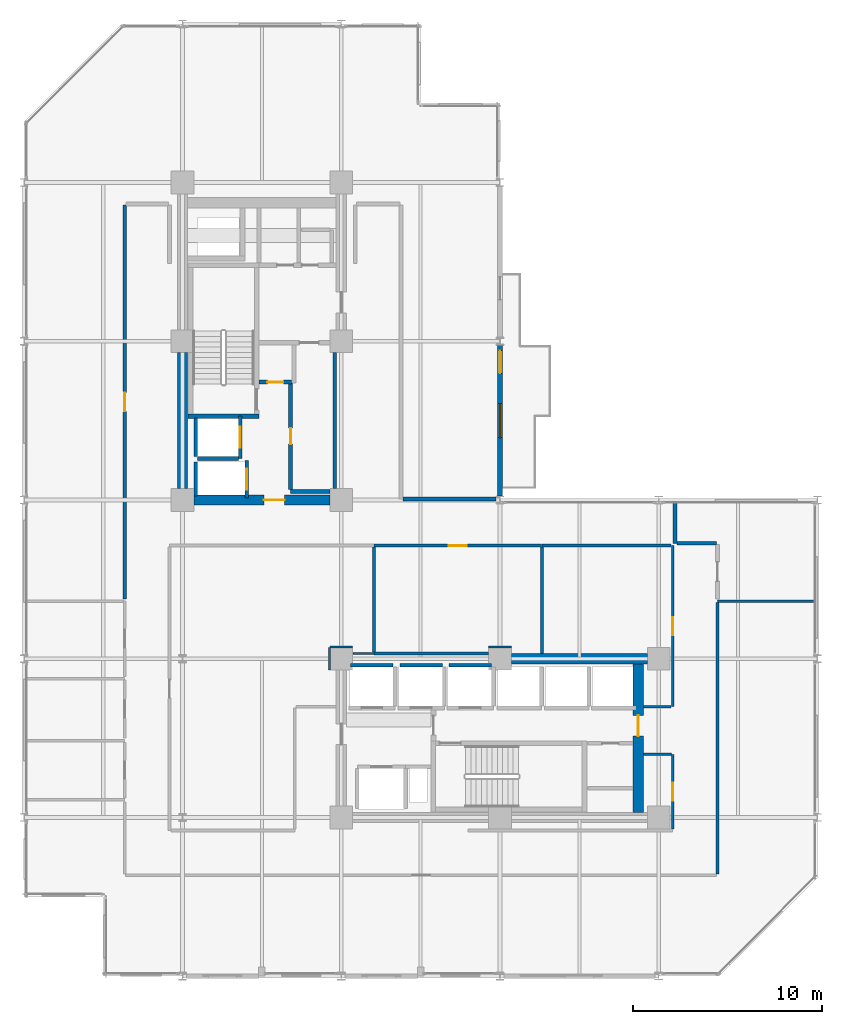
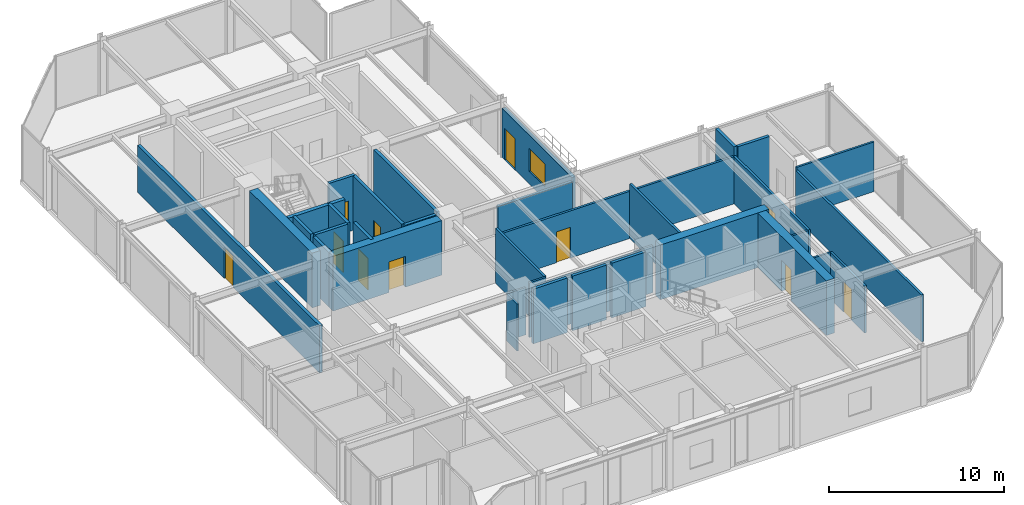
# One storey, part 25 of 29: 37 walls, 11 doors, 1 window, 12 openings.
"""IFC4 building model written with IfcOpenShell, lengths in metres."""

import ifcopenshell
import ifcopenshell.guid

model = None  # the IFC model being written
_history = None  # IfcOwnerHistory: only IFC2X3 demands one
_inside = {}  # id of a spatial element -> (the spatial element, [elements in it])
_under = {}  # id of a project, library or spatial element -> (it, [spatial elements below it])
_declared = {}  # id of a project -> (the project, [libraries it declares])
_typed = {}  # id of a type object -> (the type object, [elements of that type])
_made_of = {}  # id of a material, layer set ... -> (it, [elements and type objects made of it])


def new_model(schema):
    """Start an empty IFC model of exactly this schema.

    Asked for "IFC4X3", IfcOpenShell would pick the latest addendum, in which some entities
    have other attributes; the version numbers below select the first issue.
    IFC2X3 requires an IfcOwnerHistory on every rooted entity: one is made here for all.
    """
    global model, _history
    if schema == "IFC4X3":
        model = ifcopenshell.file(schema_version=(4, 3, 0, 0))
    else:
        model = ifcopenshell.file(schema=schema)
    _inside.clear()
    _under.clear()
    _declared.clear()
    _typed.clear()
    _made_of.clear()
    _history = None
    if model.schema == "IFC2X3":
        org = make("IfcOrganization", Name="unknown")
        user = make(
            "IfcPersonAndOrganization",
            ThePerson=make("IfcPerson", FamilyName="unknown"),
            TheOrganization=org,
        )
        app = make(
            "IfcApplication",
            ApplicationDeveloper=org,
            Version="unknown",
            ApplicationFullName="unknown",
            ApplicationIdentifier="unknown",
        )
        _history = make(
            "IfcOwnerHistory",
            OwningUser=user,
            OwningApplication=app,
            ChangeAction="ADDED",
            CreationDate=0,
        )
    return model


def make(cls, **values):
    """One entity of the class cls with the attributes given. An attribute that is None is left unset."""
    return model.create_entity(
        cls, **{name: value for name, value in values.items() if value is not None}
    )


def rooted(cls, **values):
    """An entity with a GlobalId (a new one), such as an element, a storey or a relation."""
    return make(cls, GlobalId=ifcopenshell.guid.new(), OwnerHistory=_history, **values)


def si_unit(unit_type, name, prefix=None):
    """IfcSIUnit, for example si_unit("LENGTHUNIT", "METRE", prefix="MILLI")."""
    return make("IfcSIUnit", UnitType=unit_type, Prefix=prefix, Name=name)


def assignment(units):
    """IfcUnitAssignment: the units of a project."""
    return None if units is None else make("IfcUnitAssignment", Units=units)


def point(xyz):
    """IfcCartesianPoint."""
    return None if xyz is None else make("IfcCartesianPoint", Coordinates=xyz)


def direction(xyz):
    """IfcDirection."""
    return None if xyz is None else make("IfcDirection", DirectionRatios=xyz)


def frame(location, z_axis=None, x_axis=None):
    """IfcAxis2Placement3D, a coordinate frame: its origin and axes. An axis left out is left unset."""
    return make(
        "IfcAxis2Placement3D",
        Location=point(location),
        Axis=direction(z_axis),
        RefDirection=direction(x_axis),
    )


def frame_2d(location, x_axis=None):
    """IfcAxis2Placement2D, a coordinate frame in the plane: its origin and x axis."""
    return make(
        "IfcAxis2Placement2D", Location=point(location), RefDirection=direction(x_axis)
    )


def origin():
    """The frame at (0, 0, 0) with its axes left unset."""
    return frame((0.0, 0.0, 0.0))


def place(relative_to, where):
    """IfcLocalPlacement: puts the frame where relative to a parent placement (None: the world)."""
    return make(
        "IfcLocalPlacement", PlacementRelTo=relative_to, RelativePlacement=where
    )


def context(
    kind, dimensions, precision=None, world=None, true_north=None, identifier=None
):
    """IfcGeometricRepresentationContext, for example the 3D "Model" context."""
    return make(
        "IfcGeometricRepresentationContext",
        ContextIdentifier=identifier,
        ContextType=kind,
        CoordinateSpaceDimension=dimensions,
        Precision=precision,
        WorldCoordinateSystem=world,
        TrueNorth=true_north,
    )


def subcontext(parent, identifier, kind, view, scale=None):
    """IfcGeometricRepresentationSubContext, for example "Body" below "Model"."""
    return make(
        "IfcGeometricRepresentationSubContext",
        ContextIdentifier=identifier,
        ContextType=kind,
        ParentContext=parent,
        TargetScale=scale,
        TargetView=view,
    )


def project(units=None, contexts=None):
    """IfcProject with its units and contexts."""
    return rooted(
        "IfcProject",
        Name="project",
        RepresentationContexts=contexts,
        UnitsInContext=assignment(units),
    )


def spatial(cls, under=None, at=None, **own):
    """A site, building, storey or space (cls), placed at a placement, below another one or the project."""
    s = rooted(cls, ObjectPlacement=at, **own)
    if under is not None:
        _under.setdefault(under.id(), (under, []))[1].append(s)
    return s


def profile(cls, at=None, kind="AREA", **sizes):
    """A parametric profile (cls). Its sizes go by their IFC names, for example OverallWidth=200.0."""
    return make(cls, ProfileType=kind, Position=at, **sizes)


def rectangle(**sizes):
    """IfcRectangleProfileDef."""
    return profile("IfcRectangleProfileDef", **sizes)


def extrude(swept, where, along, depth):
    """IfcExtrudedAreaSolid: the profile swept, set in the frame where, extruded along a direction by depth."""
    return make(
        "IfcExtrudedAreaSolid",
        SweptArea=swept,
        Position=where,
        ExtrudedDirection=direction(along),
        Depth=depth,
    )


def shape(context_of_items, identifier, shape_type, items):
    """IfcShapeRepresentation: the items that make up one representation, for example the "Body"."""
    return make(
        "IfcShapeRepresentation",
        ContextOfItems=context_of_items,
        RepresentationIdentifier=identifier,
        RepresentationType=shape_type,
        Items=items,
    )


def material(Name=None, Category=None):
    """IfcMaterial."""
    return make("IfcMaterial", Name=Name, Category=Category)


def layer(
    of_material, thickness, ventilated=None, Name=None, Category=None, Priority=None
):
    """IfcMaterialLayer: one layer of a wall or slab, of a material (None: an air gap)."""
    return make(
        "IfcMaterialLayer",
        Material=of_material,
        LayerThickness=thickness,
        IsVentilated=ventilated,
        Name=Name,
        Category=Category,
        Priority=Priority,
    )


def layer_set(layers, Name=None):
    """IfcMaterialLayerSet."""
    return make("IfcMaterialLayerSet", MaterialLayers=layers, LayerSetName=Name)


def made_of(thing, what):
    """Note that an element or type object is made of a material, layer set ...; save() writes the relation."""
    if what is not None:
        _made_of.setdefault(what.id(), (what, []))[1].append(thing)
    return thing


def type_object(cls, material=None, **own):
    """A type object (cls), such as IfcWallType, which elements share."""
    return made_of(rooted(cls, **own), material)


def element(
    cls,
    number,
    at=None,
    inside=None,
    cuts=None,
    type_object=None,
    material=None,
    context=None,
    identifier="Body",
    shape_type=None,
    held_by="IfcProductDefinitionShape",
    body=None,
    shapes=None,
    **own,
):
    """One element of the class cls, such as IfcWall. Its Tag is "e" and its number.

    at: its placement. inside: the storey or other place that contains it. cuts: it is an
    opening in that element (IfcRelVoidsElement). A single representation is given by context,
    identifier, shape_type and body (its items); several are given by shapes. held_by: the class
    of the entity that holds the representations. save() writes the other relations.
    """
    e = rooted(cls, Tag="e%d" % number, ObjectPlacement=at, **own)
    if body is not None:
        shapes = [shape(context, identifier, shape_type, body)]
    if shapes is not None:
        e.Representation = make(held_by, Representations=shapes)
    if inside is not None:
        _inside.setdefault(inside.id(), (inside, []))[1].append(e)
    if cuts is not None:
        rooted(
            "IfcRelVoidsElement", RelatingBuildingElement=cuts, RelatedOpeningElement=e
        )
    if type_object is not None:
        _typed.setdefault(type_object.id(), (type_object, []))[1].append(e)
    return made_of(e, material)


def fill(opening, filler):
    """IfcRelFillsElement: the door or window that sits in an opening."""
    return rooted(
        "IfcRelFillsElement",
        RelatingOpeningElement=opening,
        RelatedBuildingElement=filler,
    )


def aggregate(whole, parts):
    """IfcRelAggregates: a whole, such as a stair, and the parts it consists of."""
    return rooted("IfcRelAggregates", RelatingObject=whole, RelatedObjects=parts)


def save(model, path):
    """Write the relations noted so far, then the file.

    IfcRelAggregates (storeys below a building ...), IfcRelContainedInSpatialStructure (elements
    in a storey), IfcRelDefinesByType, IfcRelAssociatesMaterial and IfcRelDeclares: one each for
    every whole, place, type object, material and project.
    """
    for whole, parts in _under.values():
        aggregate(whole, parts)
    for where, things in _inside.values():
        rooted(
            "IfcRelContainedInSpatialStructure",
            RelatedElements=things,
            RelatingStructure=where,
        )
    for kind, things in _typed.values():
        rooted("IfcRelDefinesByType", RelatedObjects=things, RelatingType=kind)
    for what, things in _made_of.values():
        rooted("IfcRelAssociatesMaterial", RelatedObjects=things, RelatingMaterial=what)
    for by, libraries in _declared.values():
        rooted("IfcRelDeclares", RelatingContext=by, RelatedDefinitions=libraries)
    model.write(path)


model = new_model("IFC4")

# Units and contexts
model_context = context("Model", 3, precision=1e-05, world=origin(), true_north=direction((0.0, 1.0)))
body_context = subcontext(model_context, "Body", "Model", "MODEL_VIEW")
ifc_project = project(units=[si_unit("LENGTHUNIT", "METRE"), si_unit("AREAUNIT", "SQUARE_METRE"), si_unit("VOLUMEUNIT", "CUBIC_METRE"), si_unit("PLANEANGLEUNIT", "RADIAN"), si_unit("MASSUNIT", "GRAM", prefix="KILO")], contexts=[model_context])

# Site, building, storey
site_placement = place(None, origin())
site = spatial("IfcSite", under=ifc_project, at=site_placement, CompositionType="ELEMENT")
building_placement = place(site_placement, origin())
building = spatial("IfcBuilding", under=site, at=building_placement, Name="Nerrivon Quay Data Exchange", CompositionType="ELEMENT")
storey_placement = place(building_placement, frame((0.0, 0.0, 150.0)))
storey = spatial("IfcBuildingStorey", under=building, at=storey_placement, Name="L35", CompositionType="ELEMENT", Elevation=150.0)

# Wall, openings, door, window
ifc_material_1 = material(Name="Architectural terracotta precast concrete N50 (50 MPa)", Category="masonry")
ifc_layer_1 = layer(ifc_material_1, 0.239990234375)
ifc_layer_set_1 = layer_set([ifc_layer_1], Name="Architectural terracotta precast concrete N50 (50 MPa)")
wall_type_1 = type_object("IfcWallType", Name="EW-PREC-240", PredefinedType="STANDARD", material=ifc_layer_set_1)
wall_1_placement = place(storey_placement, frame((25.199951171875, 33.39990234375, 0.0), z_axis=(0.0, 0.0, 1.0), x_axis=(0.0, -1.0, 0.0)))
wall_1 = element("IfcWall", 1, at=wall_1_placement, inside=storey, type_object=wall_type_1, Name="L35 Terrace Host Wall 25", PredefinedType="STANDARD", context=body_context, shape_type="SweptSolid", body=[
    extrude(rectangle(XDim=8.0, YDim=0.239990234375, at=frame_2d((4.0, 0.0))), origin(), (0.0, 0.0, 1.0), 3.422119140625),
])
opening_1_placement = place(wall_1_placement, frame((0.300048828125, 0.0, 0.0)))
opening_1 = element("IfcOpeningElement", 2, at=opening_1_placement, cuts=wall_1, Name="Opening TD1", PredefinedType="OPENING", context=body_context, shape_type="SweptSolid", body=[
    extrude(rectangle(XDim=1.199951171875, YDim=2.199951171875, at=frame_2d((0.60009765625, 1.10009765625))), frame((0.0, 0.1298828125, 0.0), z_axis=(0.0, -1.0, 0.0), x_axis=(1.0, 0.0, 0.0)), (0.0, 0.0, 1.0), 0.260009765625),
])
opening_2_placement = place(wall_1_placement, frame((3.10009765625, 0.0, 0.89990234375)))
opening_2 = element("IfcOpeningElement", 3, at=opening_2_placement, cuts=wall_1, Name="Opening WN2", PredefinedType="OPENING", context=body_context, shape_type="SweptSolid", body=[
    extrude(rectangle(XDim=1.800048828125, YDim=1.60009765625, at=frame_2d((0.89990234375, 0.800048828125))), frame((0.0, 0.1298828125, 0.0), z_axis=(0.0, -1.0, 0.0), x_axis=(1.0, 0.0, 0.0)), (0.0, 0.0, 1.0), 0.260009765625),
])
ifc_material_2 = material(Name="Double-glazed low-E solar control glass", Category="glass")
door_type_1 = type_object("IfcDoorType", Name="DR-TERR-1200x2200", OperationType="NOTDEFINED", PredefinedType="DOOR", material=ifc_material_2)
door_1_placement = place(opening_1_placement, origin())
door_1 = element("IfcDoor", 4, at=door_1_placement, inside=storey, type_object=door_type_1, Name="L35 Outdoor Terrace Access Door 25", OperationType="SINGLE_SWING_RIGHT", OverallHeight=2.199951171875, OverallWidth=1.199951171875, PredefinedType="DOOR", context=body_context, shape_type="SweptSolid", body=[
    extrude(rectangle(XDim=1.199951171875, YDim=2.199951171875, at=frame_2d((0.60009765625, 1.10009765625))), frame((0.0, 0.02490234375, 0.0), z_axis=(0.0, -1.0, 0.0), x_axis=(1.0, 0.0, 0.0)), (0.0, 0.0, 1.0), 0.050048828125),
])
fill(opening_1, door_1)
window_type = type_object("IfcWindowType", Name="WIN-W2-1800x1600", PartitioningType="SINGLE_PANEL", PredefinedType="WINDOW", material=ifc_material_2)
window_placement = place(opening_2_placement, origin())
window = element("IfcWindow", 5, at=window_placement, inside=storey, type_object=window_type, Name="L35 Terrace Side Window 25", OverallHeight=1.60009765625, OverallWidth=1.800048828125, PartitioningType="SINGLE_PANEL", PredefinedType="WINDOW", context=body_context, shape_type="SweptSolid", body=[
    extrude(rectangle(XDim=1.800048828125, YDim=1.60009765625, at=frame_2d((0.89990234375, 0.800048828125))), frame((0.0, 0.030029296875, 0.0), z_axis=(0.0, -1.0, 0.0), x_axis=(1.0, 0.0, 0.0)), (0.0, 0.0, 1.0), 0.06005859375),
])
fill(opening_2, window)

# Wall
ifc_material_3 = material(Name="Concrete S65 (65 MPa)", Category="concrete")
ifc_layer_2 = layer(ifc_material_3, 0.550048828125)
ifc_layer_set_2 = layer_set([ifc_layer_2], Name="Concrete S65 (65 MPa)")
wall_type_2 = type_object("IfcWallType", Name="WALL-CW-700", PredefinedType="SHEAR", material=ifc_layer_set_2)
wall_2_placement = place(storey_placement, frame((8.39990234375, 25.800048828125, 0.0), z_axis=(0.0, 0.0, 1.0), x_axis=(0.0, 1.0, 0.0)))
element("IfcWall", 6, at=wall_2_placement, inside=storey, type_object=wall_type_2, Name="L35 West Split-Core Shear Wall WCW-W1", PredefinedType="SHEAR", context=body_context, shape_type="SweptSolid", body=[
    extrude(rectangle(XDim=7.199951171875, YDim=0.550048828125, at=frame_2d((3.60009765625, 0.0))), origin(), (0.0, 0.0, 1.0), 3.824951171875),
])

# Wall, opening, door
wall_3_placement = place(storey_placement, frame((9.0, 25.199951171875, 0.0), z_axis=(0.0, 0.0, 1.0), x_axis=(1.0, 0.0, 0.0)))
wall_3 = element("IfcWall", 7, at=wall_3_placement, inside=storey, type_object=wall_type_2, Name="L35 West Split-Core Shear Wall WCW-S1", PredefinedType="SHEAR", context=body_context, shape_type="SweptSolid", body=[
    extrude(rectangle(XDim=7.199951171875, YDim=0.550048828125, at=frame_2d((3.60009765625, 0.0))), origin(), (0.0, 0.0, 1.0), 3.824951171875),
])
opening_3_placement = place(wall_3_placement, frame((3.699951171875, 0.0, 0.0)))
opening_3 = element("IfcOpeningElement", 8, at=opening_3_placement, cuts=wall_3, Name="Opening FD-120", PredefinedType="OPENING", context=body_context, shape_type="SweptSolid", body=[
    extrude(rectangle(XDim=1.10009765625, YDim=2.14990234375, at=frame_2d((0.550048828125, 1.074951171875))), frame((0.0, 0.284912109375, 0.0), z_axis=(0.0, -1.0, 0.0), x_axis=(1.0, 0.0, 0.0)), (0.0, 0.0, 1.0), 0.570068359375),
])
ifc_material_4 = material(Name="Powder-coated galvanized steel sheet", Category="steel")
door_type_2 = type_object("IfcDoorType", Name="DR-FD120-1100", OperationType="NOTDEFINED", PredefinedType="DOOR", material=ifc_material_4)
door_2_placement = place(opening_3_placement, origin())
door_2 = element("IfcDoor", 9, at=door_2_placement, inside=storey, type_object=door_type_2, Name="L35 West Core Lobby Fire Door", OperationType="SINGLE_SWING_RIGHT", OverallHeight=2.14990234375, OverallWidth=1.10009765625, PredefinedType="DOOR", context=body_context, shape_type="SweptSolid", body=[
    extrude(rectangle(XDim=1.10009765625, YDim=2.14990234375, at=frame_2d((0.550048828125, 1.074951171875))), frame((0.0, 0.02490234375, 0.0), z_axis=(0.0, -1.0, 0.0), x_axis=(1.0, 0.0, 0.0)), (0.0, 0.0, 1.0), 0.050048828125),
])
fill(opening_3, door_2)

wall_4_placement = place(storey_placement, frame((32.52490234375, 8.675048828125, 0.0), z_axis=(0.0, 0.0, 1.0), x_axis=(0.0, 1.0, 0.0)))
wall_4 = element("IfcWall", 10, at=wall_4_placement, inside=storey, type_object=wall_type_2, Name="L35 East Split-Core Shear Wall ECW-E1", PredefinedType="SHEAR", context=body_context, shape_type="SweptSolid", body=[
    extrude(rectangle(XDim=7.849853515625, YDim=0.550048828125, at=frame_2d((3.9248046875, 0.0))), origin(), (0.0, 0.0, 1.0), 3.824951171875),
])
opening_4_placement = place(wall_4_placement, frame((4.02490234375, 0.0, 0.0)))
opening_4 = element("IfcOpeningElement", 11, at=opening_4_placement, cuts=wall_4, Name="Opening FD-120", PredefinedType="OPENING", context=body_context, shape_type="SweptSolid", body=[
    extrude(rectangle(XDim=1.10009765625, YDim=2.14990234375, at=frame_2d((0.550048828125, 1.074951171875))), frame((0.0, 0.284912109375, 0.0), z_axis=(0.0, -1.0, 0.0), x_axis=(1.0, 0.0, 0.0)), (0.0, 0.0, 1.0), 0.570068359375),
])
door_3_placement = place(opening_4_placement, origin())
door_3 = element("IfcDoor", 12, at=door_3_placement, inside=storey, type_object=door_type_2, Name="L35 East Core Lobby Fire Door", OperationType="SINGLE_SWING_LEFT", OverallHeight=2.14990234375, OverallWidth=1.10009765625, PredefinedType="DOOR", context=body_context, shape_type="SweptSolid", body=[
    extrude(rectangle(XDim=1.10009765625, YDim=2.14990234375, at=frame_2d((0.550048828125, 1.074951171875))), frame((0.0, 0.02490234375, 0.0), z_axis=(0.0, -1.0, 0.0), x_axis=(1.0, 0.0, 0.0)), (0.0, 0.0, 1.0), 0.050048828125),
])
fill(opening_4, door_3)

# Wall
wall_5_placement = place(storey_placement, frame((25.800048828125, 16.800048828125, 0.0), z_axis=(0.0, 0.0, 1.0), x_axis=(1.0, 0.0, 0.0)))
element("IfcWall", 13, at=wall_5_placement, inside=storey, type_object=wall_type_2, Name="L35 East Split-Core Shear Wall ECW-N1", PredefinedType="SHEAR", context=body_context, shape_type="SweptSolid", body=[
    extrude(rectangle(XDim=7.199951171875, YDim=0.550048828125, at=frame_2d((3.60009765625, 0.0))), origin(), (0.0, 0.0, 1.0), 3.824951171875),
])

# Wall, opening, door
ifc_material_5 = material(Name="Gypsum plasterboard on cold-formed framing", Category="gypsum")
ifc_layer_3 = layer(ifc_material_5, 0.199951171875)
ifc_layer_set_3 = layer_set([ifc_layer_3], Name="Gypsum plasterboard on cold-formed framing")
wall_type_3 = type_object("IfcWallType", Name="WALL-FW-200", PredefinedType="PARTITIONING", material=ifc_layer_set_3)
wall_6_placement = place(storey_placement, frame((11.449951171875, 27.39990234375, 0.0), z_axis=(0.0, 0.0, 1.0), x_axis=(0.0, 1.0, 0.0)))
wall_6 = element("IfcWall", 14, at=wall_6_placement, inside=storey, type_object=wall_type_3, Name="L35 Lift Front Wall FFL-1", PredefinedType="PARTITIONING", context=body_context, shape_type="SweptSolid", body=[
    extrude(rectangle(XDim=2.25, YDim=0.199951171875, at=frame_2d((1.125, 0.0))), origin(), (0.0, 0.0, 1.0), 3.824951171875),
])
opening_5_placement = place(wall_6_placement, frame((0.574951171875, 0.0, 0.0)))
opening_5 = element("IfcOpeningElement", 15, at=opening_5_placement, cuts=wall_6, Name="Opening LD-120", PredefinedType="OPENING", context=body_context, shape_type="SweptSolid", body=[
    extrude(rectangle(XDim=1.10009765625, YDim=2.199951171875, at=frame_2d((0.550048828125, 1.10009765625))), frame((0.0, 0.10986328125, 0.0), z_axis=(0.0, -1.0, 0.0), x_axis=(1.0, 0.0, 0.0)), (0.0, 0.0, 1.0), 0.219970703125),
])
door_type_3 = type_object("IfcDoorType", Name="DR-LIFT-LD120", OperationType="DOUBLE_DOOR_SLIDING", PredefinedType="DOOR", material=ifc_material_4)
door_4_placement = place(opening_5_placement, origin())
door_4 = element("IfcDoor", 16, at=door_4_placement, inside=storey, type_object=door_type_3, Name="L35 Lift Landing Sliding Door FFL-1", OperationType="DOUBLE_DOOR_SLIDING", OverallHeight=2.199951171875, OverallWidth=1.10009765625, PredefinedType="DOOR", context=body_context, shape_type="SweptSolid", body=[
    extrude(rectangle(XDim=1.10009765625, YDim=2.199951171875, at=frame_2d((0.550048828125, 1.10009765625))), frame((0.0, 0.02490234375, 0.0), z_axis=(0.0, -1.0, 0.0), x_axis=(1.0, 0.0, 0.0)), (0.0, 0.0, 1.0), 0.050048828125),
])
fill(opening_5, door_4)

# Walls
wall_7_placement = place(storey_placement, frame((9.10009765625, 27.5, 0.0), z_axis=(0.0, 0.0, 1.0), x_axis=(0.0, 1.0, 0.0)))
element("IfcWall", 17, at=wall_7_placement, inside=storey, type_object=wall_type_3, Name="L35 Lift Shaft Wall FFL-1 WEST", PredefinedType="PARTITIONING", context=body_context, shape_type="SweptSolid", body=[
    extrude(rectangle(XDim=2.050048828125, YDim=0.199951171875, at=frame_2d((1.02490234375, 0.0))), origin(), (0.0, 0.0, 1.0), 3.824951171875),
])
wall_8_placement = place(storey_placement, frame((9.199951171875, 27.39990234375, 0.0), z_axis=(0.0, 0.0, 1.0), x_axis=(1.0, 0.0, 0.0)))
element("IfcWall", 18, at=wall_8_placement, inside=storey, type_object=wall_type_3, Name="L35 Lift Shaft Wall FFL-1 SOUTH", PredefinedType="PARTITIONING", context=body_context, shape_type="SweptSolid", body=[
    extrude(rectangle(XDim=2.150146484375, YDim=0.199951171875, at=frame_2d((1.0751953125, 0.0))), origin(), (0.0, 0.0, 1.0), 3.824951171875),
])

# Wall, opening, door
wall_9_placement = place(storey_placement, frame((11.800048828125, 25.300048828125, 0.0), z_axis=(0.0, 0.0, 1.0), x_axis=(0.0, 1.0, 0.0)))
wall_9 = element("IfcWall", 19, at=wall_9_placement, inside=storey, type_object=wall_type_3, Name="L35 Lift Front Wall SVL-1", PredefinedType="PARTITIONING", context=body_context, shape_type="SweptSolid", body=[
    extrude(rectangle(XDim=2.0, YDim=0.199951171875, at=frame_2d((1.0, 0.0))), origin(), (0.0, 0.0, 1.0), 3.824951171875),
])
opening_6_placement = place(wall_9_placement, frame((0.449951171875, 0.0, 0.0)))
opening_6 = element("IfcOpeningElement", 20, at=opening_6_placement, cuts=wall_9, Name="Opening LD-120", PredefinedType="OPENING", context=body_context, shape_type="SweptSolid", body=[
    extrude(rectangle(XDim=1.10009765625, YDim=2.199951171875, at=frame_2d((0.550048828125, 1.10009765625))), frame((0.0, 0.10986328125, 0.0), z_axis=(0.0, -1.0, 0.0), x_axis=(1.0, 0.0, 0.0)), (0.0, 0.0, 1.0), 0.219970703125),
])
door_5_placement = place(opening_6_placement, origin())
door_5 = element("IfcDoor", 21, at=door_5_placement, inside=storey, type_object=door_type_3, Name="L35 Lift Landing Sliding Door SVL-1", OperationType="DOUBLE_DOOR_SLIDING", OverallHeight=2.199951171875, OverallWidth=1.10009765625, PredefinedType="DOOR", context=body_context, shape_type="SweptSolid", body=[
    extrude(rectangle(XDim=1.10009765625, YDim=2.199951171875, at=frame_2d((0.550048828125, 1.10009765625))), frame((0.0, 0.02490234375, 0.0), z_axis=(0.0, -1.0, 0.0), x_axis=(1.0, 0.0, 0.0)), (0.0, 0.0, 1.0), 0.050048828125),
])
fill(opening_6, door_5)

# Walls
wall_10_placement = place(storey_placement, frame((9.10009765625, 25.39990234375, 0.0), z_axis=(0.0, 0.0, 1.0), x_axis=(0.0, 1.0, 0.0)))
element("IfcWall", 22, at=wall_10_placement, inside=storey, type_object=wall_type_3, Name="L35 Lift Shaft Wall SVL-1 WEST", PredefinedType="PARTITIONING", context=body_context, shape_type="SweptSolid", body=[
    extrude(rectangle(XDim=1.800048828125, YDim=0.199951171875, at=frame_2d((0.89990234375, 0.0))), origin(), (0.0, 0.0, 1.0), 3.824951171875),
])
for number, where, z_axis, x_axis, name in (
    (23, (17.300048828125, 16.449951171875, 0.0), (0.0, 0.0, 1.0), (1.0, 0.0, 0.0), "L35 Lift Shaft Wall PL4 NORTH"),
    (24, (19.89990234375, 16.449951171875, 0.0), (0.0, 0.0, 1.0), (1.0, 0.0, 0.0), "L35 Lift Shaft Wall PL5 NORTH"),
    (25, (22.5, 16.449951171875, 0.0), (0.0, 0.0, 1.0), (1.0, 0.0, 0.0), "L35 Lift Shaft Wall PL6 NORTH"),
):
    element("IfcWall", number, at=place(storey_placement, frame(where, z_axis=z_axis, x_axis=x_axis)), inside=storey, type_object=wall_type_3, Name=name, PredefinedType="PARTITIONING", context=body_context, shape_type="SweptSolid", body=[
        extrude(rectangle(XDim=2.25, YDim=0.199951171875, at=frame_2d((1.125, 0.0))), origin(), (0.0, 0.0, 1.0), 3.824951171875),
    ])
wall_11_placement = place(storey_placement, frame((14.1201171875, 25.64990234375, 0.0), z_axis=(0.0, 0.0, 1.0), x_axis=(1.0, 0.0, 0.0)))
element("IfcWall", 26, at=wall_11_placement, inside=storey, type_object=wall_type_3, Name="L35 Partition Core Equipment Store", PredefinedType="PARTITIONING", context=body_context, shape_type="SweptSolid", body=[
    extrude(rectangle(XDim=2.074951171875, YDim=0.199951171875, at=frame_2d((1.03759765625, 0.0))), origin(), (0.0, 0.0, 1.0), 3.824951171875),
])
wall_12_placement = place(storey_placement, frame((16.449951171875, 25.804931640625, 0.0), z_axis=(0.0, 0.0, 1.0), x_axis=(0.0, 1.0, 0.0)))
element("IfcWall", 27, at=wall_12_placement, inside=storey, type_object=wall_type_3, Name="L35 Partition Core Equipment Store", PredefinedType="PARTITIONING", context=body_context, shape_type="SweptSolid", body=[
    extrude(rectangle(XDim=7.190185546875, YDim=0.199951171875, at=frame_2d((3.59521484375, 0.0))), origin(), (0.0, 0.0, 1.0), 3.824951171875),
])

# Wall, opening, door
wall_13_placement = place(storey_placement, frame((14.1201171875, 31.39990234375, 0.0), z_axis=(0.0, 0.0, 1.0), x_axis=(0.0, -1.0, 0.0)))
wall_13 = element("IfcWall", 28, at=wall_13_placement, inside=storey, type_object=wall_type_3, Name="L35 Partition Core Equipment Store", PredefinedType="PARTITIONING", context=body_context, shape_type="SweptSolid", body=[
    extrude(rectangle(XDim=5.64599609375, YDim=0.199951171875, at=frame_2d((2.822998046875, 0.0))), origin(), (0.0, 0.0, 1.0), 3.824951171875),
])
opening_7_placement = place(wall_13_placement, frame((2.39794921875, 0.0, 0.0)))
opening_7 = element("IfcOpeningElement", 29, at=opening_7_placement, cuts=wall_13, Name="Opening FD-60S", PredefinedType="OPENING", context=body_context, shape_type="SweptSolid", body=[
    extrude(rectangle(XDim=0.85009765625, YDim=2.14990234375, at=frame_2d((0.425048828125, 1.074951171875))), frame((0.0, 0.10986328125, 0.0), z_axis=(0.0, -1.0, 0.0), x_axis=(1.0, 0.0, 0.0)), (0.0, 0.0, 1.0), 0.219970703125),
])
ifc_material_6 = material(Name="Engineered hardwood timber", Category="wood")
door_type_4 = type_object("IfcDoorType", Name="DR-FD60-850", OperationType="NOTDEFINED", PredefinedType="DOOR", material=ifc_material_6)
door_6_placement = place(opening_7_placement, origin())
door_6 = element("IfcDoor", 30, at=door_6_placement, inside=storey, type_object=door_type_4, Name="L35 Door Core Equipment Store", OperationType="SINGLE_SWING_LEFT", OverallHeight=2.14990234375, OverallWidth=0.85009765625, PredefinedType="DOOR", context=body_context, shape_type="SweptSolid", body=[
    extrude(rectangle(XDim=0.85009765625, YDim=2.14990234375, at=frame_2d((0.425048828125, 1.074951171875))), frame((0.0, 0.02490234375, 0.0), z_axis=(0.0, -1.0, 0.0), x_axis=(1.0, 0.0, 0.0)), (0.0, 0.0, 1.0), 0.050048828125),
])
fill(opening_7, door_6)

wall_14_placement = place(storey_placement, frame((12.4541015625, 31.43994140625, 0.0), z_axis=(0.0, 0.0, 1.0), x_axis=(1.0, 0.0, 0.0)))
wall_14 = element("IfcWall", 31, at=wall_14_placement, inside=storey, type_object=wall_type_3, Name="L35 Partition Optical Patch Closet", PredefinedType="PARTITIONING", context=body_context, shape_type="SweptSolid", body=[
    extrude(rectangle(XDim=1.725830078125, YDim=0.199951171875, at=frame_2d((0.86279296875, 0.0))), origin(), (0.0, 0.0, 1.0), 3.824951171875),
])
opening_8_placement = place(wall_14_placement, frame((0.43798828125, 0.0, 0.0)))
opening_8 = element("IfcOpeningElement", 32, at=opening_8_placement, cuts=wall_14, Name="Opening FD-60S", PredefinedType="OPENING", context=body_context, shape_type="SweptSolid", body=[
    extrude(rectangle(XDim=0.85009765625, YDim=2.14990234375, at=frame_2d((0.425048828125, 1.074951171875))), frame((0.0, 0.10986328125, 0.0), z_axis=(0.0, -1.0, 0.0), x_axis=(1.0, 0.0, 0.0)), (0.0, 0.0, 1.0), 0.219970703125),
])
door_7_placement = place(opening_8_placement, origin())
door_7 = element("IfcDoor", 33, at=door_7_placement, inside=storey, type_object=door_type_4, Name="L35 Door Optical Patch Closet", OperationType="SINGLE_SWING_RIGHT", OverallHeight=2.14990234375, OverallWidth=0.85009765625, PredefinedType="DOOR", context=body_context, shape_type="SweptSolid", body=[
    extrude(rectangle(XDim=0.85009765625, YDim=2.14990234375, at=frame_2d((0.425048828125, 1.074951171875))), frame((0.0, 0.02490234375, 0.0), z_axis=(0.0, -1.0, 0.0), x_axis=(1.0, 0.0, 0.0)), (0.0, 0.0, 1.0), 0.050048828125),
])
fill(opening_8, door_7)

# Walls
wall_15_placement = place(storey_placement, frame((34.4599609375, 25.031005859375, 0.0), z_axis=(0.0, 0.0, 1.0), x_axis=(0.0, -1.0, 0.0)))
element("IfcWall", 34, at=wall_15_placement, inside=storey, type_object=wall_type_3, Name="L35 Partition Colocation Data Workspace 1", PredefinedType="PARTITIONING", context=body_context, shape_type="SweptSolid", body=[
    extrude(rectangle(XDim=2.12109375, YDim=0.199951171875, at=frame_2d((1.060546875, 0.0))), origin(), (0.0, 0.0, 1.0), 3.824951171875),
])
wall_16_placement = place(storey_placement, frame((34.56396484375, 22.909912109375, 0.0), z_axis=(0.0, 0.0, 1.0), x_axis=(1.0, 0.0, 0.0)))
element("IfcWall", 35, at=wall_16_placement, inside=storey, type_object=wall_type_3, Name="L35 Partition Colocation Data Workspace 1", PredefinedType="PARTITIONING", context=body_context, shape_type="SweptSolid", body=[
    extrude(rectangle(XDim=2.0859375, YDim=0.199951171875, at=frame_2d((1.04296875, 0.0))), origin(), (0.0, 0.0, 1.0), 3.824951171875),
])

# Wall, opening, door
wall_17_placement = place(storey_placement, frame((5.340087890625, 19.963134765625, 0.0), z_axis=(0.0, 0.0, 1.0), x_axis=(1.1713442e-05, 0.999999999931, 0.0)))
wall_17 = element("IfcWall", 36, at=wall_17_placement, inside=storey, type_object=wall_type_3, Name="L35 Partition Colocation Data Workspace 1", PredefinedType="PARTITIONING", context=body_context, shape_type="SweptSolid", body=[
    extrude(rectangle(XDim=20.8427734375, YDim=0.199951171875, at=frame_2d((10.42138671875, 0.0))), origin(), (0.0, 0.0, 1.0), 3.2919921875),
])
opening_9_placement = place(wall_17_placement, frame((9.92138671875, 0.0, 0.0)))
opening_9 = element("IfcOpeningElement", 37, at=opening_9_placement, cuts=wall_17, Name="Opening FD-60", PredefinedType="OPENING", context=body_context, shape_type="SweptSolid", body=[
    extrude(rectangle(XDim=1.0, YDim=2.14990234375, at=frame_2d((0.5, 1.074951171875))), frame((0.0, 0.10986328125, 0.0), z_axis=(0.0, -1.0, 0.0), x_axis=(1.0, 0.0, 0.0)), (0.0, 0.0, 1.0), 0.219970703125),
])
door_type_5 = type_object("IfcDoorType", Name="DR-FD60-1000", OperationType="NOTDEFINED", PredefinedType="DOOR", material=ifc_material_6)
door_8_placement = place(opening_9_placement, origin())
door_8 = element("IfcDoor", 38, at=door_8_placement, inside=storey, type_object=door_type_5, Name="L35 Door Colocation Data Workspace 1", OperationType="SINGLE_SWING_LEFT", OverallHeight=2.14990234375, OverallWidth=1.0, PredefinedType="DOOR", context=body_context, shape_type="SweptSolid", body=[
    extrude(rectangle(XDim=1.0, YDim=2.14990234375, at=frame_2d((0.5, 1.074951171875))), frame((0.0, 0.02490234375, 0.0), z_axis=(0.0, -1.0, 0.0), x_axis=(1.0, 0.0, 0.0)), (0.0, 0.0, 1.0), 0.050048828125),
])
fill(opening_9, door_8)

# Walls
wall_18_placement = place(storey_placement, frame((20.06396484375, 25.260009765625, 0.0), z_axis=(0.0, 0.0, 1.0), x_axis=(1.0, 0.0, 0.0)))
element("IfcWall", 39, at=wall_18_placement, inside=storey, type_object=wall_type_3, Name="L35 Partition Colocation Data Workspace 1", PredefinedType="PARTITIONING", context=body_context, shape_type="SweptSolid", body=[
    extrude(rectangle(XDim=4.916015625, YDim=0.199951171875, at=frame_2d((2.4580078125, 0.0))), origin(), (0.0, 0.0, 1.0), 3.2919921875),
])
ifc_layer_4 = layer(ifc_material_5, 0.1201171875)
ifc_layer_set_4 = layer_set([ifc_layer_4], Name="Gypsum plasterboard on cold-formed framing")
wall_type_4 = type_object("IfcWallType", Name="WALL-PT-120", PredefinedType="PARTITIONING", material=ifc_layer_set_4)
wall_19_placement = place(storey_placement, frame((34.2685546875, 11.739990234375, 0.0), z_axis=(0.0, 0.0, 1.0), x_axis=(-1.0, 0.0, 0.0)))
element("IfcWall", 40, at=wall_19_placement, inside=storey, type_object=wall_type_4, Name="L35 Partition Staff Pantry", PredefinedType="PARTITIONING", context=body_context, shape_type="SweptSolid", body=[
    extrude(rectangle(XDim=1.464599609375, YDim=0.1201171875, at=frame_2d((0.732421875, 0.0))), origin(), (0.0, 0.0, 1.0), 3.297119140625),
])
wall_20_placement = place(storey_placement, frame((32.803955078125, 14.260009765625, 0.0), z_axis=(0.0, 0.0, 1.0), x_axis=(1.0, 0.0, 0.0)))
element("IfcWall", 41, at=wall_20_placement, inside=storey, type_object=wall_type_4, Name="L35 Partition Mail and Crew Room", PredefinedType="PARTITIONING", context=body_context, shape_type="SweptSolid", body=[
    extrude(rectangle(XDim=1.45703125, YDim=0.1201171875, at=frame_2d((0.728515625, 0.0))), origin(), (0.0, 0.0, 1.0), 3.297119140625),
])
wall_21_placement = place(storey_placement, frame((24.59423828125, 17.419189453125, 0.0), z_axis=(0.0, 0.0, 1.0), x_axis=(0.999999815526, 0.000607410295, 0.0)))
element("IfcWall", 42, at=wall_21_placement, inside=storey, type_object=wall_type_4, Name="L35 Partition Client Conference Room 1", PredefinedType="PARTITIONING", context=body_context, shape_type="SweptSolid", body=[
    extrude(rectangle(XDim=1.205810546875, YDim=0.1201171875, at=frame_2d((0.60302734375, 0.0))), origin(), (0.0, 0.0, 1.0), 3.297119140625),
])
wall_22_placement = place(storey_placement, frame((16.180908203125, 16.194091796875, 0.0), z_axis=(0.0, 0.0, 1.0), x_axis=(-0.000809880277, 0.999999672047, 0.0)))
element("IfcWall", 43, at=wall_22_placement, inside=storey, type_object=wall_type_4, Name="L35 Partition Peering Huddle Meeting Room", PredefinedType="PARTITIONING", context=body_context, shape_type="SweptSolid", body=[
    extrude(rectangle(XDim=1.205810546875, YDim=0.1201171875, at=frame_2d((0.60302734375, 0.0))), origin(), (0.0, 0.0, 1.0), 3.2919921875),
])
wall_23_placement = place(storey_placement, frame((16.199951171875, 17.419921875, 0.0), z_axis=(0.0, 0.0, 1.0), x_axis=(1.0, 0.0, 0.0)))
element("IfcWall", 44, at=wall_23_placement, inside=storey, type_object=wall_type_4, Name="L35 Partition Peering Huddle Meeting Room", PredefinedType="PARTITIONING", context=body_context, shape_type="SweptSolid", body=[
    extrude(rectangle(XDim=1.2021484375, YDim=0.1201171875, at=frame_2d((0.60107421875, 0.0))), origin(), (0.0, 0.0, 1.0), 3.297119140625),
])
wall_24_placement = place(storey_placement, frame((17.419921875, 17.074951171875, 0.0), z_axis=(0.0, 0.0, 1.0), x_axis=(1.0, 0.0, 0.0)))
element("IfcWall", 45, at=wall_24_placement, inside=storey, type_object=wall_type_4, Name="L35 Partition Peering Huddle Meeting Room", PredefinedType="PARTITIONING", context=body_context, shape_type="SweptSolid", body=[
    extrude(rectangle(XDim=1.099609375, YDim=0.1201171875, at=frame_2d((0.5498046875, 0.0))), origin(), (0.0, 0.0, 1.0), 3.824951171875),
])

# Wall, opening, door
ifc_layer_5 = layer(ifc_material_5, 0.135009765625)
ifc_layer_set_5 = layer_set([ifc_layer_5], Name="Gypsum plasterboard on cold-formed framing")
wall_type_5 = type_object("IfcWallType", Name="WALL-PT-135", PredefinedType="PARTITIONING", material=ifc_layer_set_5)
wall_25_placement = place(storey_placement, frame((34.340087890625, 7.7890625, 0.0), z_axis=(0.0, 0.0, 1.0), x_axis=(0.0, 1.0, 0.0)))
wall_25 = element("IfcWall", 46, at=wall_25_placement, inside=storey, type_object=wall_type_5, Name="L35 Partition Staff Pantry", PredefinedType="PARTITIONING", context=body_context, shape_type="SweptSolid", body=[
    extrude(rectangle(XDim=3.950927734375, YDim=0.135009765625, at=frame_2d((1.9755859375, 0.0))), origin(), (0.0, 0.0, 1.0), 3.2919921875),
])
opening_10_placement = place(wall_25_placement, frame((1.50048828125, 0.0, 0.0)))
opening_10 = element("IfcOpeningElement", 47, at=opening_10_placement, cuts=wall_25, Name="Opening D-01", PredefinedType="OPENING", context=body_context, shape_type="SweptSolid", body=[
    extrude(rectangle(XDim=0.949951171875, YDim=2.14990234375, at=frame_2d((0.47509765625, 1.074951171875))), frame((0.0, 0.077392578125, 0.0), z_axis=(0.0, -1.0, 0.0), x_axis=(1.0, 0.0, 0.0)), (0.0, 0.0, 1.0), 0.155029296875),
])
door_type_6 = type_object("IfcDoorType", Name="DR-INT-950", OperationType="NOTDEFINED", PredefinedType="DOOR", material=ifc_material_6)
door_9_placement = place(opening_10_placement, origin())
door_9 = element("IfcDoor", 48, at=door_9_placement, inside=storey, type_object=door_type_6, Name="L35 Door Staff Pantry", OperationType="SINGLE_SWING_RIGHT", OverallHeight=2.14990234375, OverallWidth=0.949951171875, PredefinedType="DOOR", context=body_context, shape_type="SweptSolid", body=[
    extrude(rectangle(XDim=0.949951171875, YDim=2.14990234375, at=frame_2d((0.47509765625, 1.074951171875))), frame((0.0, 0.02490234375, 0.0), z_axis=(0.0, -1.0, 0.0), x_axis=(1.0, 0.0, 0.0)), (0.0, 0.0, 1.0), 0.050048828125),
])
fill(opening_10, door_9)

# Wall
wall_26_placement = place(storey_placement, frame((41.8310546875, 19.84326171875, 0.0), z_axis=(0.0, 0.0, 1.0), x_axis=(-1.0, 0.0, 0.0)))
element("IfcWall", 49, at=wall_26_placement, inside=storey, type_object=wall_type_5, Name="L35 Partition Technical Library", PredefinedType="PARTITIONING", context=body_context, shape_type="SweptSolid", body=[
    extrude(rectangle(XDim=5.12109375, YDim=0.135009765625, at=frame_2d((2.560546875, 0.0))), origin(), (0.0, 0.0, 1.0), 3.468994140625),
])

# Wall, opening, door
ifc_layer_6 = layer(ifc_material_5, 0.14990234375)
ifc_layer_set_6 = layer_set([ifc_layer_6], Name="Gypsum plasterboard on cold-formed framing")
wall_type_6 = type_object("IfcWallType", Name="WALL-PT-150", PredefinedType="PARTITIONING", material=ifc_layer_set_6)
wall_27_placement = place(storey_placement, frame((34.340087890625, 14.260009765625, 0.0), z_axis=(0.0, 0.0, 1.0), x_axis=(0.0, 1.0, 0.0)))
wall_27 = element("IfcWall", 50, at=wall_27_placement, inside=storey, type_object=wall_type_6, Name="L35 Partition Mail and Crew Room", PredefinedType="PARTITIONING", context=body_context, shape_type="SweptSolid", body=[
    extrude(rectangle(XDim=8.530029296875, YDim=0.14990234375, at=frame_2d((4.26513671875, 0.0))), origin(), (0.0, 0.0, 1.0), 3.2919921875),
])
opening_11_placement = place(wall_27_placement, frame((3.7900390625, 0.0, 0.0)))
opening_11 = element("IfcOpeningElement", 51, at=opening_11_placement, cuts=wall_27, Name="Opening D-01", PredefinedType="OPENING", context=body_context, shape_type="SweptSolid", body=[
    extrude(rectangle(XDim=0.949951171875, YDim=2.14990234375, at=frame_2d((0.47509765625, 1.074951171875))), frame((0.0, 0.0849609375, 0.0), z_axis=(0.0, -1.0, 0.0), x_axis=(1.0, 0.0, 0.0)), (0.0, 0.0, 1.0), 0.169921875),
])
door_10_placement = place(opening_11_placement, origin())
door_10 = element("IfcDoor", 52, at=door_10_placement, inside=storey, type_object=door_type_6, Name="L35 Door Mail and Crew Room", OperationType="SINGLE_SWING_RIGHT", OverallHeight=2.14990234375, OverallWidth=0.949951171875, PredefinedType="DOOR", context=body_context, shape_type="SweptSolid", body=[
    extrude(rectangle(XDim=0.949951171875, YDim=2.14990234375, at=frame_2d((0.47509765625, 1.074951171875))), frame((0.0, 0.02490234375, 0.0), z_axis=(0.0, -1.0, 0.0), x_axis=(1.0, 0.0, 0.0)), (0.0, 0.0, 1.0), 0.050048828125),
])
fill(opening_11, door_10)

# Walls
wall_28_placement = place(storey_placement, frame((34.260986328125, 22.7900390625, 0.0), z_axis=(0.0, 0.0, 1.0), x_axis=(-1.0, 0.0, 0.0)))
element("IfcWall", 53, at=wall_28_placement, inside=storey, type_object=wall_type_6, Name="L35 Partition Mail and Crew Room", PredefinedType="PARTITIONING", context=body_context, shape_type="SweptSolid", body=[
    extrude(rectangle(XDim=6.8447265625, YDim=0.14990234375, at=frame_2d((3.42236328125, 0.0))), origin(), (0.0, 0.0, 1.0), 3.297119140625),
])
wall_29_placement = place(storey_placement, frame((27.416259765625, 22.7109375, 0.0), z_axis=(0.0, 0.0, 1.0), x_axis=(0.0, -1.0, 0.0)))
element("IfcWall", 54, at=wall_29_placement, inside=storey, type_object=wall_type_6, Name="L35 Partition Mail and Crew Room", PredefinedType="PARTITIONING", context=body_context, shape_type="SweptSolid", body=[
    extrude(rectangle(XDim=5.6318359375, YDim=0.14990234375, at=frame_2d((2.81591796875, 0.0))), origin(), (0.0, 0.0, 1.0), 3.824951171875),
])
wall_30_placement = place(storey_placement, frame((18.53955078125, 17.074951171875, 0.0), z_axis=(0.0, 0.0, 1.0), x_axis=(1.0, 0.0, 0.0)))
element("IfcWall", 55, at=wall_30_placement, inside=storey, type_object=wall_type_6, Name="L35 Partition Client Conference Room 1", PredefinedType="PARTITIONING", context=body_context, shape_type="SweptSolid", body=[
    extrude(rectangle(XDim=6.04052734375, YDim=0.14990234375, at=frame_2d((3.020263671875, 0.0))), origin(), (0.0, 0.0, 1.0), 3.468994140625),
])

# Wall, opening, door
wall_31_placement = place(storey_placement, frame((27.396240234375, 22.7900390625, 0.0), z_axis=(0.0, 0.0, 1.0), x_axis=(-1.0, 0.0, 0.0)))
wall_31 = element("IfcWall", 56, at=wall_31_placement, inside=storey, type_object=wall_type_6, Name="L35 Partition Client Conference Room 1", PredefinedType="PARTITIONING", context=body_context, shape_type="SweptSolid", body=[
    extrude(rectangle(XDim=8.856689453125, YDim=0.14990234375, at=frame_2d((4.42822265625, 0.0))), origin(), (0.0, 0.0, 1.0), 3.297119140625),
])
opening_12_placement = place(wall_31_placement, frame((3.953369140625, 0.0, 0.0)))
opening_12 = element("IfcOpeningElement", 57, at=opening_12_placement, cuts=wall_31, Name="Opening D-01", PredefinedType="OPENING", context=body_context, shape_type="SweptSolid", body=[
    extrude(rectangle(XDim=0.949951171875, YDim=2.14990234375, at=frame_2d((0.47509765625, 1.074951171875))), frame((0.0, 0.0849609375, 0.0), z_axis=(0.0, -1.0, 0.0), x_axis=(1.0, 0.0, 0.0)), (0.0, 0.0, 1.0), 0.169921875),
])
door_11_placement = place(opening_12_placement, origin())
door_11 = element("IfcDoor", 58, at=door_11_placement, inside=storey, type_object=door_type_6, Name="L35 Door Client Conference Room 1", OperationType="SINGLE_SWING_LEFT", OverallHeight=2.14990234375, OverallWidth=0.949951171875, PredefinedType="DOOR", context=body_context, shape_type="SweptSolid", body=[
    extrude(rectangle(XDim=0.949951171875, YDim=2.14990234375, at=frame_2d((0.47509765625, 1.074951171875))), frame((0.0, 0.02490234375, 0.0), z_axis=(0.0, -1.0, 0.0), x_axis=(1.0, 0.0, 0.0)), (0.0, 0.0, 1.0), 0.050048828125),
])
fill(opening_12, door_11)

# Walls
wall_32_placement = place(storey_placement, frame((18.53955078125, 22.7109375, 0.0), z_axis=(0.0, 0.0, 1.0), x_axis=(0.0, -1.0, 0.0)))
element("IfcWall", 59, at=wall_32_placement, inside=storey, type_object=wall_type_6, Name="L35 Partition Client Conference Room 1", PredefinedType="PARTITIONING", context=body_context, shape_type="SweptSolid", body=[
    extrude(rectangle(XDim=5.556884765625, YDim=0.14990234375, at=frame_2d((2.7783203125, 0.0))), origin(), (0.0, 0.0, 1.0), 3.824951171875),
])
wall_33_placement = place(storey_placement, frame((36.7099609375, 19.771728515625, 0.0), z_axis=(0.0, 0.0, 1.0), x_axis=(0.0, -1.0, 0.0)))
element("IfcWall", 60, at=wall_33_placement, inside=storey, type_object=wall_type_6, Name="L35 Partition Technical Library", PredefinedType="PARTITIONING", context=body_context, shape_type="SweptSolid", body=[
    extrude(rectangle(XDim=14.371826171875, YDim=0.14990234375, at=frame_2d((7.18603515625, 0.0))), origin(), (0.0, 0.0, 1.0), 3.2919921875),
])
ifc_material_7 = material(Name="Concrete N50 (50 MPa)", Category="concrete")
ifc_layer_7 = layer(ifc_material_7, 0.25)
ifc_layer_set_7 = layer_set([ifc_layer_7], Name="Concrete N50 (50 MPa)")
wall_type_7 = type_object("IfcWallType", Name="WALL-SW-250", PredefinedType="SHEAR", material=ifc_layer_set_7)
wall_34_placement = place(storey_placement, frame((12.449951171875, 29.625, 0.0), z_axis=(0.0, 0.0, 1.0), x_axis=(-1.0, 0.0, 0.0)))
element("IfcWall", 61, at=wall_34_placement, inside=storey, type_object=wall_type_7, Name="L35 ST01 Structural Stair Core Wall NEAR", PredefinedType="SHEAR", context=body_context, shape_type="SweptSolid", body=[
    extrude(rectangle(XDim=3.75, YDim=0.25, at=frame_2d((1.875, 0.0))), origin(), (0.0, 0.0, 1.0), 3.824951171875),
])

save(model, "model.ifc")
